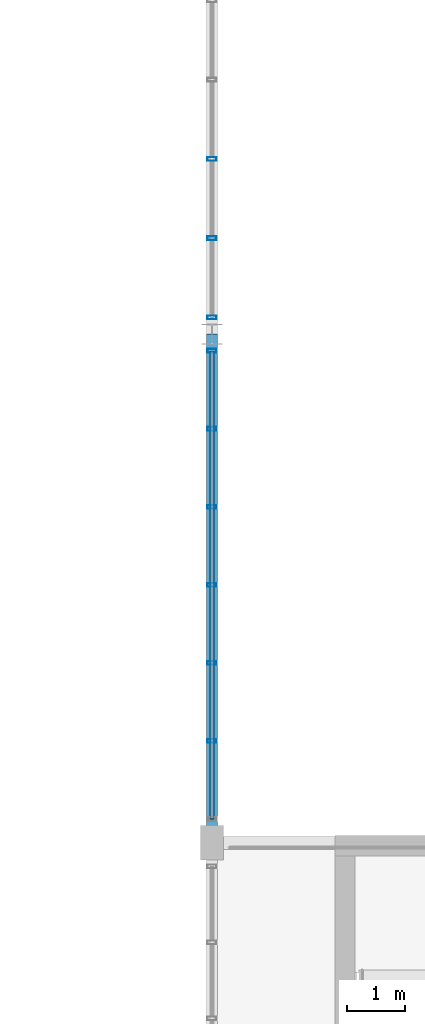
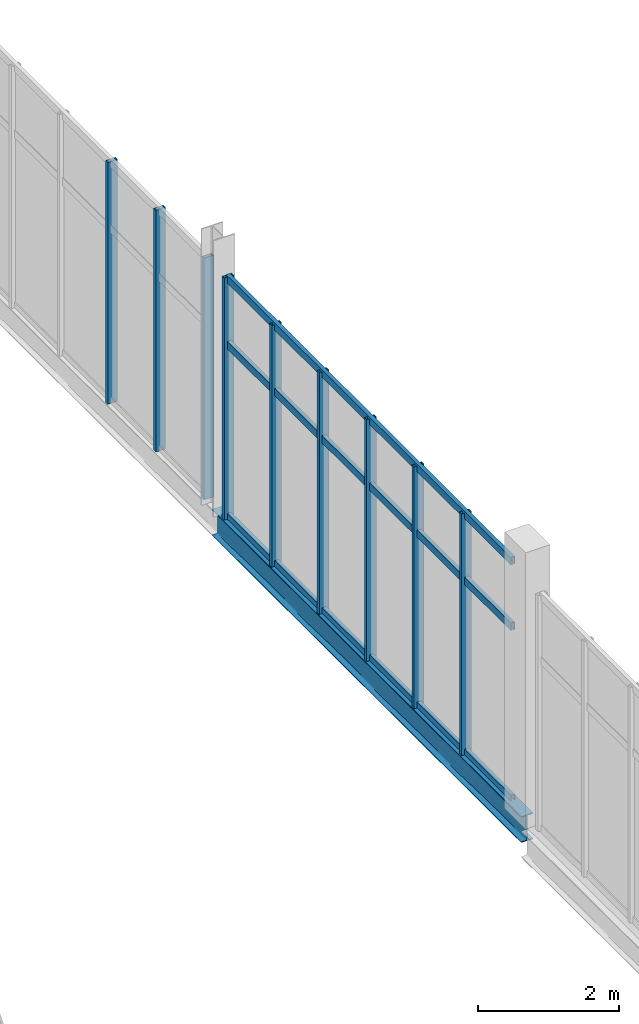
# One storey, part 31 of 157: 12 members, 1 beam, 2 elements without a shape of their own.
"""IFC4 building model written with IfcOpenShell, lengths in metres."""

from ifc_helpers import new_model, si_unit, direction, frame, origin, origin_2d, place, context, subcontext, project, spatial, hollow_rectangle, i_section, extrude, material, layer, layer_set, material_profile, profile_set, type_object, element, aggregate, save


model = new_model("IFC4")

# Units and contexts
model_context = context("Model", 3, precision=1e-05, world=origin(), true_north=direction((0.0, 1.0)))
body_context = subcontext(model_context, "Body", "Model", "MODEL_VIEW")
ifc_project = project(units=[si_unit("LENGTHUNIT", "METRE"), si_unit("AREAUNIT", "SQUARE_METRE"), si_unit("VOLUMEUNIT", "CUBIC_METRE"), si_unit("PLANEANGLEUNIT", "RADIAN"), si_unit("MASSUNIT", "GRAM", prefix="KILO")], contexts=[model_context])

# Site, building, storey
site_placement = place(None, origin())
site = spatial("IfcSite", under=ifc_project, at=site_placement, CompositionType="ELEMENT")
building_placement = place(site_placement, origin())
building = spatial("IfcBuilding", under=site, at=building_placement, Name="Chalmorin Arch Market", CompositionType="ELEMENT")
storey_placement = place(building_placement, frame((0.0, 0.0, 4.800048828125)))
storey = spatial("IfcBuildingStorey", under=building, at=storey_placement, Name="L01", CompositionType="ELEMENT", Elevation=4.800048828125)

# Curtain wall, members
ifc_material_1 = material(Name="Aluminium 6063-T6", Category="aluminium")
ifc_layer_1 = layer(ifc_material_1, 0.159912109375)
ifc_layer_set_1 = layer_set([ifc_layer_1], Name="Aluminium 6063-T6")
curtain_wall_type_1 = type_object("IfcCurtainWallType", Name="GableTympanumCurtainWall-CW4-8100x4200", PredefinedType="NOTDEFINED", material=ifc_layer_set_1)
curtain_wall_1_placement = place(storey_placement, origin())
curtain_wall_1 = element("IfcCurtainWall", 1, at=curtain_wall_1_placement, inside=storey, type_object=curtain_wall_type_1, Name="CW-04-028", PredefinedType="NOTDEFINED")
ifc_material_profile_1 = material_profile(ifc_material_1, hollow_rectangle(XDim=0.06494140625, YDim=0.159912109375, WallThickness=0.00390625, at=origin_2d()), Name="ALU65X160X4")
ifc_profile_set_1 = profile_set([ifc_material_profile_1], Name="Aluminium 6063-T6")
member_type_1 = type_object("IfcMemberType", Name="CurtainWallMullion-65x160", PredefinedType="MULLION", material=ifc_profile_set_1)
member_1_placement = place(storey_placement, frame((48.0, 16.560302734375, 0.0), z_axis=(0.0, 0.0, 1.0), x_axis=(0.0, 1.0, 0.0)))
member_1 = element("IfcMember", 2, at=member_1_placement, type_object=member_type_1, Name="ML-028-02", PredefinedType="MULLION", context=body_context, shape_type="SweptSolid", body=[
    extrude(hollow_rectangle(XDim=0.06494140625, YDim=0.159912109375, WallThickness=0.00390625, at=origin_2d()), origin(), (0.0, 0.0, 1.0), 4.199951171875),
])
member_2_placement = place(storey_placement, frame((48.0, 17.91064453125, 0.0), z_axis=(0.0, 0.0, 1.0), x_axis=(0.0, 1.0, 0.0)))
member_2 = element("IfcMember", 3, at=member_2_placement, type_object=member_type_1, Name="ML-028-03", PredefinedType="MULLION", context=body_context, shape_type="SweptSolid", body=[
    extrude(hollow_rectangle(XDim=0.06494140625, YDim=0.159912109375, WallThickness=0.00390625, at=origin_2d()), origin(), (0.0, 0.0, 1.0), 4.199951171875),
])
member_3_placement = place(storey_placement, frame((48.0, 19.260986328125, 0.0), z_axis=(0.0, 0.0, 1.0), x_axis=(0.0, 1.0, 0.0)))
member_3 = element("IfcMember", 4, at=member_3_placement, type_object=member_type_1, Name="ML-028-04", PredefinedType="MULLION", context=body_context, shape_type="SweptSolid", body=[
    extrude(hollow_rectangle(XDim=0.06494140625, YDim=0.159912109375, WallThickness=0.00390625, at=origin_2d()), origin(), (0.0, 0.0, 1.0), 4.199951171875),
])
member_4_placement = place(storey_placement, frame((48.0, 20.611328125, 0.0), z_axis=(0.0, 0.0, 1.0), x_axis=(0.0, 1.0, 0.0)))
member_4 = element("IfcMember", 5, at=member_4_placement, type_object=member_type_1, Name="ML-028-05", PredefinedType="MULLION", context=body_context, shape_type="SweptSolid", body=[
    extrude(hollow_rectangle(XDim=0.06494140625, YDim=0.159912109375, WallThickness=0.00390625, at=origin_2d()), origin(), (0.0, 0.0, 1.0), 4.199951171875),
])
member_5_placement = place(storey_placement, frame((48.0, 21.961669921875, 0.0), z_axis=(0.0, 0.0, 1.0), x_axis=(0.0, 1.0, 0.0)))
member_5 = element("IfcMember", 6, at=member_5_placement, type_object=member_type_1, Name="ML-028-06", PredefinedType="MULLION", context=body_context, shape_type="SweptSolid", body=[
    extrude(hollow_rectangle(XDim=0.06494140625, YDim=0.159912109375, WallThickness=0.00390625, at=origin_2d()), origin(), (0.0, 0.0, 1.0), 4.199951171875),
])
member_6_placement = place(storey_placement, frame((48.0, 23.31201171875, 0.0), z_axis=(0.0, 0.0, 1.0), x_axis=(0.0, 1.0, 0.0)))
member_6 = element("IfcMember", 7, at=member_6_placement, type_object=member_type_1, Name="ML-028-07", PredefinedType="MULLION", context=body_context, shape_type="SweptSolid", body=[
    extrude(hollow_rectangle(XDim=0.06494140625, YDim=0.159912109375, WallThickness=0.00390625, at=origin_2d()), origin(), (0.0, 0.0, 1.0), 4.199951171875),
])

ifc_layer_2 = layer(ifc_material_1, 0.159912109375)
ifc_layer_set_2 = layer_set([ifc_layer_2], Name="Aluminium 6063-T6")
curtain_wall_type_2 = type_object("IfcCurtainWallType", Name="GableTympanumCurtainWall-CW4-8220x4200", PredefinedType="NOTDEFINED", material=ifc_layer_set_2)
curtain_wall_2_placement = place(storey_placement, origin())
curtain_wall_2 = element("IfcCurtainWall", 8, at=curtain_wall_2_placement, inside=storey, type_object=curtain_wall_type_2, Name="CW-04-030", PredefinedType="NOTDEFINED")
member_7_placement = place(storey_placement, frame((48.0, 23.887939453125, 0.0), z_axis=(0.0, 0.0, 1.0), x_axis=(0.0, 1.0, 0.0)))
member_7 = element("IfcMember", 9, at=member_7_placement, type_object=member_type_1, Name="ML-030-01", PredefinedType="MULLION", context=body_context, shape_type="SweptSolid", body=[
    extrude(hollow_rectangle(XDim=0.06494140625, YDim=0.159912109375, WallThickness=0.00390625, at=origin_2d()), origin(), (0.0, 0.0, 1.0), 4.199951171875),
])
member_8_placement = place(storey_placement, frame((48.0, 25.2587890625, 0.0), z_axis=(0.0, 0.0, 1.0), x_axis=(0.0, 1.0, 0.0)))
member_8 = element("IfcMember", 10, at=member_8_placement, type_object=member_type_1, Name="ML-030-02", PredefinedType="MULLION", context=body_context, shape_type="SweptSolid", body=[
    extrude(hollow_rectangle(XDim=0.06494140625, YDim=0.159912109375, WallThickness=0.00390625, at=origin_2d()), origin(), (0.0, 0.0, 1.0), 4.199951171875),
])
member_9_placement = place(storey_placement, frame((48.0, 26.62939453125, 0.0), z_axis=(0.0, 0.0, 1.0), x_axis=(0.0, 1.0, 0.0)))
member_9 = element("IfcMember", 11, at=member_9_placement, type_object=member_type_1, Name="ML-030-03", PredefinedType="MULLION", context=body_context, shape_type="SweptSolid", body=[
    extrude(hollow_rectangle(XDim=0.06494140625, YDim=0.159912109375, WallThickness=0.00390625, at=origin_2d()), origin(), (0.0, 0.0, 1.0), 4.199951171875),
])
aggregate(curtain_wall_2, [member_7, member_8, member_9])

# Member
ifc_material_profile_2 = material_profile(ifc_material_1, hollow_rectangle(XDim=0.06494140625, YDim=0.1298828125, WallThickness=0.00390625, at=origin_2d()), Name="ALU65X130X4")
ifc_profile_set_2 = profile_set([ifc_material_profile_2], Name="Aluminium 6063-T6")
member_type_2 = type_object("IfcMemberType", Name="CurtainWallTransom-65x130", PredefinedType="USERDEFINED", material=ifc_profile_set_2)
member_10_placement = place(storey_placement, frame((48.0, 15.2099609375, 0.034912109375), z_axis=(0.0, 1.0, 0.0), x_axis=(-1.0, 0.0, 0.0)))
member_10 = element("IfcMember", 12, at=member_10_placement, type_object=member_type_2, Name="TR-028-01", ObjectType="TRANSOM", PredefinedType="USERDEFINED", context=body_context, shape_type="SweptSolid", body=[
    extrude(hollow_rectangle(XDim=0.06494140625, YDim=0.1298828125, WallThickness=0.00390625, at=origin_2d()), origin(), (0.0, 0.0, 1.0), 8.10205078125),
])

member_11_placement = place(storey_placement, frame((48.0, 15.2099609375, 3.02392578125), z_axis=(0.0, 1.0, 0.0), x_axis=(-1.0, 0.0, 0.0)))
member_11 = element("IfcMember", 13, at=member_11_placement, type_object=member_type_2, Name="TR-028-02", ObjectType="TRANSOM", PredefinedType="USERDEFINED", context=body_context, shape_type="SweptSolid", body=[
    extrude(hollow_rectangle(XDim=0.06494140625, YDim=0.1298828125, WallThickness=0.00390625, at=origin_2d()), origin(), (0.0, 0.0, 1.0), 8.10205078125),
])

member_12_placement = place(storey_placement, frame((48.0, 15.2099609375, 4.1650390625), z_axis=(0.0, 1.0, 0.0), x_axis=(-1.0, 0.0, 0.0)))
member_12 = element("IfcMember", 14, at=member_12_placement, type_object=member_type_2, Name="TR-028-03", ObjectType="TRANSOM", PredefinedType="USERDEFINED", context=body_context, shape_type="SweptSolid", body=[
    extrude(hollow_rectangle(XDim=0.06494140625, YDim=0.1298828125, WallThickness=0.00390625, at=origin_2d()), origin(), (0.0, 0.0, 1.0), 8.10205078125),
])

aggregate(curtain_wall_1, [member_1, member_2, member_3, member_4, member_5, member_6, member_10, member_11, member_12])

# Beam
ifc_material_2 = material(Name="Steel A992 Grade 50", Category="steel")
ifc_material_profile_3 = material_profile(ifc_material_2, i_section(OverallWidth=0.19091796875, OverallDepth=0.45703125, WebThickness=0.009033203125, FlangeThickness=0.014404296875, FilletRadius=0.02001953125, at=origin_2d()), Name="W18X50")
ifc_profile_set_3 = profile_set([ifc_material_profile_3], Name="Steel A992 Grade 50")
beam_type = type_object("IfcBeamType", Name="PerimeterSpandrelBeam-W18X50", PredefinedType="SPANDREL", material=ifc_profile_set_3)
beam_placement = place(storey_placement, frame((48.0, 14.800048828125, -0.22802734375), z_axis=(0.0, 1.0, 0.0), x_axis=(-1.0, 0.0, 0.0)))
element("IfcBeam", 15, at=beam_placement, inside=storey, type_object=beam_type, Name="SP-W18-0676", PredefinedType="SPANDREL", context=body_context, shape_type="SweptSolid", body=[
    extrude(i_section(OverallWidth=0.19091796875, OverallDepth=0.45703125, WebThickness=0.009033203125, FlangeThickness=0.014404296875, FilletRadius=0.02001953125, at=origin_2d()), origin(), (0.0, 0.0, 1.0), 8.800048828125),
])

save(model, "model.ifc")
